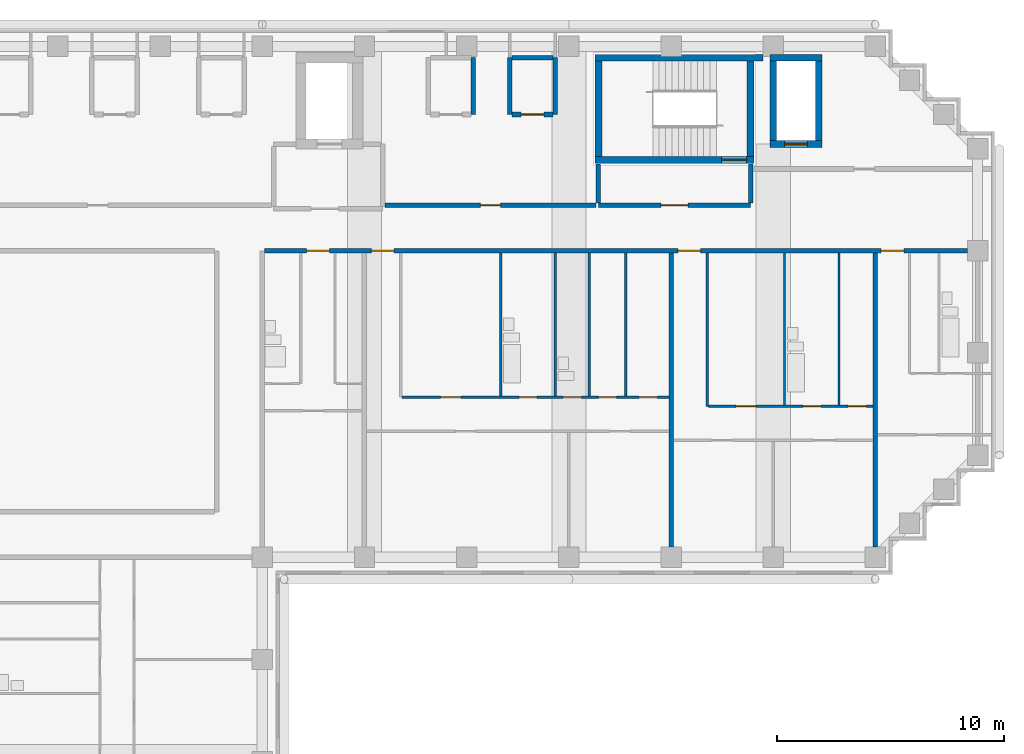
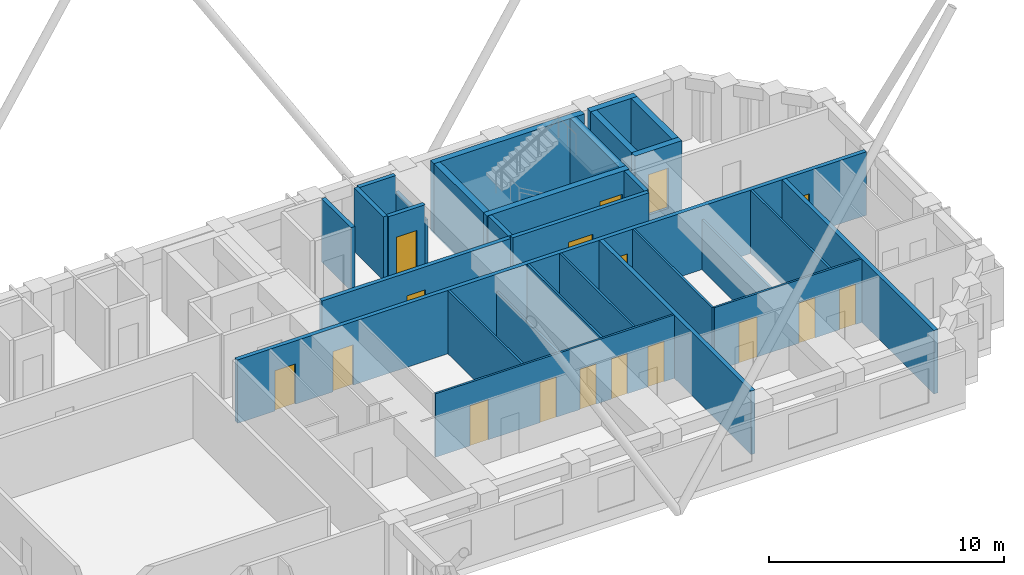
# One storey, part 6 of 9: 29 walls, 17 doors, 17 openings.
"""IFC4 building model written with IfcOpenShell, lengths in metres."""

from ifc_helpers import new_model, si_unit, direction, frame, frame_2d, origin, place, context, subcontext, project, spatial, rectangle, extrude, material, layer, layer_set, type_object, element, fill, save


model = new_model("IFC4")

# Units and contexts
model_context = context("Model", 3, precision=1e-05, world=origin(), true_north=direction((0.0, 1.0)))
body_context = subcontext(model_context, "Body", "Model", "MODEL_VIEW")
ifc_project = project(units=[si_unit("LENGTHUNIT", "METRE"), si_unit("AREAUNIT", "SQUARE_METRE"), si_unit("VOLUMEUNIT", "CUBIC_METRE"), si_unit("PLANEANGLEUNIT", "RADIAN"), si_unit("MASSUNIT", "GRAM", prefix="KILO")], contexts=[model_context])

# Site, building, storey
site_placement = place(None, origin())
site = spatial("IfcSite", under=ifc_project, at=site_placement, CompositionType="ELEMENT")
building_placement = place(site_placement, origin())
building = spatial("IfcBuilding", under=site, at=building_placement, Name="Firuza Court", CompositionType="ELEMENT")
storey_placement = place(building_placement, frame((0.0, 0.0, 211.39990234375)))
storey = spatial("IfcBuildingStorey", under=building, at=storey_placement, Name="L54", CompositionType="ELEMENT", Elevation=211.39990234375)

# Walls
ifc_material_1 = material(Name="Moisture-resistant gypsum board partition")
ifc_layer_1 = layer(ifc_material_1, 0.10009765625)
ifc_layer_set_1 = layer_set([ifc_layer_1], Name="Moisture-resistant gypsum board partition")
wall_type_1 = type_object("IfcWallType", Name="Bathroom partition 100", PredefinedType="PLUMBINGWALL", material=ifc_layer_set_1)
wall_1_placement = place(storey_placement, frame((45.5, 42.699951171875, 0.0), z_axis=(0.0, 0.0, 1.0), x_axis=(0.0, 1.0, 0.0)))
element("IfcWall", 1, at=wall_1_placement, inside=storey, type_object=wall_type_1, Name="Bathroom partition 100 L54", PredefinedType="PLUMBINGWALL", context=body_context, shape_type="SweptSolid", body=[
    extrude(rectangle(XDim=6.699951171875, YDim=0.10009765625, at=frame_2d((3.35009765625, 0.0))), origin(), (0.0, 0.0, 1.0), 2.60009765625),
])
wall_2_placement = place(storey_placement, frame((47.89990234375, 42.699951171875, 0.0), z_axis=(0.0, 0.0, 1.0), x_axis=(0.0, 1.0, 0.0)))
element("IfcWall", 2, at=wall_2_placement, inside=storey, type_object=wall_type_1, Name="Bathroom partition 100 L54", PredefinedType="PLUMBINGWALL", context=body_context, shape_type="SweptSolid", body=[
    extrude(rectangle(XDim=6.699951171875, YDim=0.10009765625, at=frame_2d((3.35009765625, 0.0))), origin(), (0.0, 0.0, 1.0), 3.300048828125),
])
wall_3_placement = place(storey_placement, frame((33.0, 43.10009765625, 0.0), z_axis=(0.0, 0.0, 1.0), x_axis=(0.0, 1.0, 0.0)))
element("IfcWall", 3, at=wall_3_placement, inside=storey, type_object=wall_type_1, Name="Bathroom partition 100 L54", PredefinedType="PLUMBINGWALL", context=body_context, shape_type="SweptSolid", body=[
    extrude(rectangle(XDim=6.2998046875, YDim=0.10009765625, at=frame_2d((3.14990234375, 0.0))), origin(), (0.0, 0.0, 1.0), 3.300048828125),
])
wall_4_placement = place(storey_placement, frame((35.39990234375, 43.10009765625, 0.0), z_axis=(0.0, 0.0, 1.0), x_axis=(0.0, 1.0, 0.0)))
element("IfcWall", 4, at=wall_4_placement, inside=storey, type_object=wall_type_1, Name="Bathroom partition 100 L54", PredefinedType="PLUMBINGWALL", context=body_context, shape_type="SweptSolid", body=[
    extrude(rectangle(XDim=6.2998046875, YDim=0.10009765625, at=frame_2d((3.14990234375, 0.0))), origin(), (0.0, 0.0, 1.0), 2.400146484375),
])
wall_5_placement = place(storey_placement, frame((36.89990234375, 43.10009765625, 0.0), z_axis=(0.0, 0.0, 1.0), x_axis=(0.0, 1.0, 0.0)))
element("IfcWall", 5, at=wall_5_placement, inside=storey, type_object=wall_type_1, Name="Bathroom partition 100 L54", PredefinedType="PLUMBINGWALL", context=body_context, shape_type="SweptSolid", body=[
    extrude(rectangle(XDim=6.2998046875, YDim=0.10009765625, at=frame_2d((3.14990234375, 0.0))), origin(), (0.0, 0.0, 1.0), 3.300048828125),
])

# Wall, opening, door
ifc_material_2 = material(Name="Concrete C50/60", Category="concrete")
ifc_layer_2 = layer(ifc_material_2, 0.300048828125)
ifc_layer_set_2 = layer_set([ifc_layer_2], Name="Concrete C50/60")
wall_type_2 = type_object("IfcWallType", Name="Core wall 300 C50/60", PredefinedType="SHEAR", material=ifc_layer_set_2)
wall_6_placement = place(storey_placement, frame((37.14990234375, 53.5, -0.349853515625), z_axis=(0.0, 0.0, 1.0), x_axis=(1.0, 0.0, 0.0)))
wall_6 = element("IfcWall", 6, at=wall_6_placement, inside=storey, type_object=wall_type_2, Name="Core wall stair L54", PredefinedType="SHEAR", context=body_context, shape_type="SweptSolid", body=[
    extrude(rectangle(XDim=7.0, YDim=0.300048828125, at=frame_2d((3.5, 0.0))), origin(), (0.0, 0.0, 1.0), 3.64990234375),
])
opening_1_placement = place(wall_6_placement, frame((5.580078125, 0.0, 0.35009765625)))
opening_1 = element("IfcOpeningElement", 7, at=opening_1_placement, cuts=wall_6, Name="Opening D54009", PredefinedType="OPENING", context=body_context, shape_type="SweptSolid", body=[
    extrude(rectangle(XDim=1.10009765625, YDim=2.10009765625, at=frame_2d((0.550048828125, 1.050048828125))), frame((0.0, 0.162109375, 0.0), z_axis=(0.0, -1.0, 0.0), x_axis=(1.0, 0.0, 0.0)), (0.0, 0.0, 1.0), 0.323974609375),
])
ifc_material_3 = material(Name="Timber door leaf in hardwood frame", Category="wood")
door_type_1 = type_object("IfcDoorType", Name="Stair door 1100", OperationType="SINGLE_SWING_LEFT", PredefinedType="DOOR", material=ifc_material_3)
door_1_placement = place(opening_1_placement, origin())
door_1 = element("IfcDoor", 8, at=door_1_placement, inside=storey, type_object=door_type_1, Name="Stair door S1", OperationType="SINGLE_SWING_RIGHT", OverallHeight=2.10009765625, OverallWidth=1.10009765625, PredefinedType="DOOR", context=body_context, shape_type="SweptSolid", body=[
    extrude(rectangle(XDim=1.10009765625, YDim=2.10009765625, at=frame_2d((0.550048828125, 1.050048828125))), frame((0.0, 0.02490234375, 0.0), z_axis=(0.0, -1.0, 0.0), x_axis=(1.0, 0.0, 0.0)), (0.0, 0.0, 1.0), 0.050048828125),
])
fill(opening_1, door_1)

# Walls
wall_7_placement = place(storey_placement, frame((37.14990234375, 58.0, -0.349853515625), z_axis=(0.0, 0.0, 1.0), x_axis=(1.0, 0.0, 0.0)))
element("IfcWall", 9, at=wall_7_placement, inside=storey, type_object=wall_type_2, Name="Core wall stair L54", PredefinedType="SHEAR", context=body_context, shape_type="SweptSolid", body=[
    extrude(rectangle(XDim=7.400146484375, YDim=0.300048828125, at=frame_2d((3.7001953125, 0.0))), origin(), (0.0, 0.0, 1.0), 3.64990234375),
])
for number, where, z_axis, x_axis, name in (
    (10, (37.300048828125, 53.64990234375, -0.349853515625), (0.0, 0.0, 1.0), (0.0, 1.0, 0.0), "Core wall stair L54"),
    (11, (44.0, 53.64990234375, -0.349853515625), (0.0, 0.0, 1.0), (0.0, 1.0, 0.0), "Core wall stair L54"),
):
    element("IfcWall", number, at=place(storey_placement, frame(where, z_axis=z_axis, x_axis=x_axis)), inside=storey, type_object=wall_type_2, Name=name, PredefinedType="SHEAR", context=body_context, shape_type="SweptSolid", body=[
        extrude(rectangle(XDim=4.2001953125, YDim=0.300048828125, at=frame_2d((2.10009765625, 0.0))), origin(), (0.0, 0.0, 1.0), 3.64990234375),
    ])

# Wall, opening, door
wall_8_placement = place(storey_placement, frame((44.85009765625, 54.199951171875, -0.349853515625), z_axis=(0.0, 0.0, 1.0), x_axis=(1.0, 0.0, 0.0)))
wall_8 = element("IfcWall", 12, at=wall_8_placement, inside=storey, type_object=wall_type_2, Name="Core wall riser L54", PredefinedType="SHEAR", context=body_context, shape_type="SweptSolid", body=[
    extrude(rectangle(XDim=2.2998046875, YDim=0.300048828125, at=frame_2d((1.14990234375, 0.0))), origin(), (0.0, 0.0, 1.0), 3.64990234375),
])
opening_2_placement = place(wall_8_placement, frame((0.64990234375, 0.0, 0.35009765625)))
opening_2 = element("IfcOpeningElement", 13, at=opening_2_placement, cuts=wall_8, Name="Opening D54008", PredefinedType="OPENING", context=body_context, shape_type="SweptSolid", body=[
    extrude(rectangle(XDim=1.0, YDim=2.10009765625, at=frame_2d((0.5, 1.050048828125))), frame((0.0, 0.162109375, 0.0), z_axis=(0.0, -1.0, 0.0), x_axis=(1.0, 0.0, 0.0)), (0.0, 0.0, 1.0), 0.323974609375),
])
ifc_material_4 = material(Name="Timber door leaf in hardwood frame", Category="wood")
door_type_2 = type_object("IfcDoorType", Name="Riser door 1000", OperationType="SINGLE_SWING_LEFT", PredefinedType="DOOR", material=ifc_material_4)
door_2_placement = place(opening_2_placement, origin())
door_2 = element("IfcDoor", 14, at=door_2_placement, inside=storey, type_object=door_type_2, Name="Riser door R3", OperationType="SINGLE_SWING_LEFT", OverallHeight=2.10009765625, OverallWidth=1.0, PredefinedType="DOOR", context=body_context, shape_type="SweptSolid", body=[
    extrude(rectangle(XDim=1.0, YDim=2.10009765625, at=frame_2d((0.5, 1.050048828125))), frame((0.0, 0.02490234375, 0.0), z_axis=(0.0, -1.0, 0.0), x_axis=(1.0, 0.0, 0.0)), (0.0, 0.0, 1.0), 0.050048828125),
])
fill(opening_2, door_2)

# Walls
wall_9_placement = place(storey_placement, frame((44.85009765625, 58.0, -0.349853515625), z_axis=(0.0, 0.0, 1.0), x_axis=(1.0, 0.0, 0.0)))
element("IfcWall", 15, at=wall_9_placement, inside=storey, type_object=wall_type_2, Name="Core wall riser L54", PredefinedType="SHEAR", context=body_context, shape_type="SweptSolid", body=[
    extrude(rectangle(XDim=2.2998046875, YDim=0.300048828125, at=frame_2d((1.14990234375, 0.0))), origin(), (0.0, 0.0, 1.0), 3.64990234375),
])
for number, where, z_axis, x_axis, name in (
    (16, (45.0, 54.35009765625, -0.349853515625), (0.0, 0.0, 1.0), (0.0, 1.0, 0.0), "Core wall riser L54"),
    (17, (47.0, 54.35009765625, -0.349853515625), (0.0, 0.0, 1.0), (0.0, 1.0, 0.0), "Core wall riser L54"),
):
    element("IfcWall", number, at=place(storey_placement, frame(where, z_axis=z_axis, x_axis=x_axis)), inside=storey, type_object=wall_type_2, Name=name, PredefinedType="SHEAR", context=body_context, shape_type="SweptSolid", body=[
        extrude(rectangle(XDim=3.5, YDim=0.300048828125, at=frame_2d((1.75, 0.0))), origin(), (0.0, 0.0, 1.0), 3.64990234375),
    ])

# Wall, openings, doors
ifc_material_5 = material(Name="Blockwork, plastered both sides", Category="masonry")
ifc_layer_3 = layer(ifc_material_5, 0.199951171875)
ifc_layer_set_3 = layer_set([ifc_layer_3], Name="Blockwork, plastered both sides")
wall_type_3 = type_object("IfcWallType", Name="Corridor wall 200", PredefinedType="PARTITIONING", material=ifc_layer_set_3)
wall_10_placement = place(storey_placement, frame((22.60009765625, 49.5, 0.0), z_axis=(0.0, 0.0, 1.0), x_axis=(1.0, 0.0, 0.0)))
wall_10 = element("IfcWall", 18, at=wall_10_placement, inside=storey, type_object=wall_type_3, Name="Corridor wall 200 L54", PredefinedType="PARTITIONING", context=body_context, shape_type="SweptSolid", body=[
    extrude(rectangle(XDim=30.949951171875, YDim=0.199951171875, at=frame_2d((15.47509765625, 0.0))), origin(), (0.0, 0.0, 1.0), 3.300048828125),
])
opening_3_placement = place(wall_10_placement, frame((1.85009765625, 0.0, 0.0)))
opening_3 = element("IfcOpeningElement", 19, at=opening_3_placement, cuts=wall_10, Name="Opening D54045", PredefinedType="OPENING", context=body_context, shape_type="SweptSolid", body=[
    extrude(rectangle(XDim=1.0, YDim=2.10009765625, at=frame_2d((0.5, 1.050048828125))), frame((0.0, 0.11181640625, 0.0), z_axis=(0.0, -1.0, 0.0), x_axis=(1.0, 0.0, 0.0)), (0.0, 0.0, 1.0), 0.223876953125),
])
opening_4_placement = place(wall_10_placement, frame((4.699951171875, 0.0, 0.0)))
opening_4 = element("IfcOpeningElement", 20, at=opening_4_placement, cuts=wall_10, Name="Opening D54046", PredefinedType="OPENING", context=body_context, shape_type="SweptSolid", body=[
    extrude(rectangle(XDim=1.0, YDim=2.10009765625, at=frame_2d((0.5, 1.050048828125))), frame((0.0, 0.11181640625, 0.0), z_axis=(0.0, -1.0, 0.0), x_axis=(1.0, 0.0, 0.0)), (0.0, 0.0, 1.0), 0.223876953125),
])
opening_5_placement = place(wall_10_placement, frame((18.199951171875, 0.0, 0.0)))
opening_5 = element("IfcOpeningElement", 21, at=opening_5_placement, cuts=wall_10, Name="Opening D54047", PredefinedType="OPENING", context=body_context, shape_type="SweptSolid", body=[
    extrude(rectangle(XDim=1.0, YDim=2.10009765625, at=frame_2d((0.5, 1.050048828125))), frame((0.0, 0.11181640625, 0.0), z_axis=(0.0, -1.0, 0.0), x_axis=(1.0, 0.0, 0.0)), (0.0, 0.0, 1.0), 0.223876953125),
])
opening_6_placement = place(wall_10_placement, frame((27.14990234375, 0.0, 0.0)))
opening_6 = element("IfcOpeningElement", 22, at=opening_6_placement, cuts=wall_10, Name="Opening D54048", PredefinedType="OPENING", context=body_context, shape_type="SweptSolid", body=[
    extrude(rectangle(XDim=1.0, YDim=2.10009765625, at=frame_2d((0.5, 1.050048828125))), frame((0.0, 0.11181640625, 0.0), z_axis=(0.0, -1.0, 0.0), x_axis=(1.0, 0.0, 0.0)), (0.0, 0.0, 1.0), 0.223876953125),
])
ifc_material_6 = material(Name="Timber door leaf in hardwood frame", Category="wood")
door_type_3 = type_object("IfcDoorType", Name="Flat entrance door 1000", OperationType="SINGLE_SWING_LEFT", PredefinedType="DOOR", material=ifc_material_6)
door_3_placement = place(opening_3_placement, origin())
door_3 = element("IfcDoor", 23, at=door_3_placement, inside=storey, type_object=door_type_3, Name="Flat entrance door", OperationType="SINGLE_SWING_LEFT", OverallHeight=2.10009765625, OverallWidth=1.0, PredefinedType="DOOR", context=body_context, shape_type="SweptSolid", body=[
    extrude(rectangle(XDim=1.0, YDim=2.10009765625, at=frame_2d((0.5, 1.050048828125))), frame((0.0, 0.02490234375, 0.0), z_axis=(0.0, -1.0, 0.0), x_axis=(1.0, 0.0, 0.0)), (0.0, 0.0, 1.0), 0.050048828125),
])
fill(opening_3, door_3)
door_4_placement = place(opening_4_placement, origin())
door_4 = element("IfcDoor", 24, at=door_4_placement, inside=storey, type_object=door_type_3, Name="Flat entrance door", OperationType="SINGLE_SWING_LEFT", OverallHeight=2.10009765625, OverallWidth=1.0, PredefinedType="DOOR", context=body_context, shape_type="SweptSolid", body=[
    extrude(rectangle(XDim=1.0, YDim=2.10009765625, at=frame_2d((0.5, 1.050048828125))), frame((0.0, 0.02490234375, 0.0), z_axis=(0.0, -1.0, 0.0), x_axis=(1.0, 0.0, 0.0)), (0.0, 0.0, 1.0), 0.050048828125),
])
fill(opening_4, door_4)
door_5_placement = place(opening_5_placement, origin())
door_5 = element("IfcDoor", 25, at=door_5_placement, inside=storey, type_object=door_type_3, Name="Flat entrance door", OperationType="SINGLE_SWING_LEFT", OverallHeight=2.10009765625, OverallWidth=1.0, PredefinedType="DOOR", context=body_context, shape_type="SweptSolid", body=[
    extrude(rectangle(XDim=1.0, YDim=2.10009765625, at=frame_2d((0.5, 1.050048828125))), frame((0.0, 0.02490234375, 0.0), z_axis=(0.0, -1.0, 0.0), x_axis=(1.0, 0.0, 0.0)), (0.0, 0.0, 1.0), 0.050048828125),
])
fill(opening_5, door_5)
door_6_placement = place(opening_6_placement, origin())
door_6 = element("IfcDoor", 26, at=door_6_placement, inside=storey, type_object=door_type_3, Name="Flat entrance door", OperationType="SINGLE_SWING_RIGHT", OverallHeight=2.10009765625, OverallWidth=1.0, PredefinedType="DOOR", context=body_context, shape_type="SweptSolid", body=[
    extrude(rectangle(XDim=1.0, YDim=2.10009765625, at=frame_2d((0.5, 1.050048828125))), frame((0.0, 0.02490234375, 0.0), z_axis=(0.0, -1.0, 0.0), x_axis=(1.0, 0.0, 0.0)), (0.0, 0.0, 1.0), 0.050048828125),
])
fill(opening_6, door_6)

# Wall, opening, door
wall_11_placement = place(storey_placement, frame((27.89990234375, 51.5, 0.0), z_axis=(0.0, 0.0, 1.0), x_axis=(1.0, 0.0, 0.0)))
wall_11 = element("IfcWall", 27, at=wall_11_placement, inside=storey, type_object=wall_type_3, Name="Corridor wall 200 L54", PredefinedType="PARTITIONING", context=body_context, shape_type="SweptSolid", body=[
    extrude(rectangle(XDim=9.300048828125, YDim=0.199951171875, at=frame_2d((4.64990234375, 0.0))), origin(), (0.0, 0.0, 1.0), 3.300048828125),
])
opening_7_placement = place(wall_11_placement, frame((4.199951171875, 0.0, 0.0)))
opening_7 = element("IfcOpeningElement", 28, at=opening_7_placement, cuts=wall_11, Name="Opening D54050", PredefinedType="OPENING", context=body_context, shape_type="SweptSolid", body=[
    extrude(rectangle(XDim=0.89990234375, YDim=2.10009765625, at=frame_2d((0.449951171875, 1.050048828125))), frame((0.0, 0.11181640625, 0.0), z_axis=(0.0, -1.0, 0.0), x_axis=(1.0, 0.0, 0.0)), (0.0, 0.0, 1.0), 0.223876953125),
])
ifc_material_7 = material(Name="Timber door leaf in hardwood frame", Category="wood")
door_type_4 = type_object("IfcDoorType", Name="Room door 900 EI 30", OperationType="SINGLE_SWING_LEFT", PredefinedType="DOOR", material=ifc_material_7)
door_7_placement = place(opening_7_placement, origin())
door_7 = element("IfcDoor", 29, at=door_7_placement, inside=storey, type_object=door_type_4, Name="Meeting room door", OperationType="SINGLE_SWING_LEFT", OverallHeight=2.10009765625, OverallWidth=0.89990234375, PredefinedType="DOOR", context=body_context, shape_type="SweptSolid", body=[
    extrude(rectangle(XDim=0.89990234375, YDim=2.10009765625, at=frame_2d((0.449951171875, 1.050048828125))), frame((0.0, 0.02490234375, 0.0), z_axis=(0.0, -1.0, 0.0), x_axis=(1.0, 0.0, 0.0)), (0.0, 0.0, 1.0), 0.050048828125),
])
fill(opening_7, door_7)

# Wall
ifc_material_8 = material(Name="Timber stud partition, plasterboard both sides", Category="wood")
ifc_layer_4 = layer(ifc_material_8, 0.10009765625)
ifc_layer_set_4 = layer_set([ifc_layer_4], Name="Timber stud partition, plasterboard both sides")
wall_type_4 = type_object("IfcWallType", Name="Partition wall 100", PredefinedType="PARTITIONING", material=ifc_layer_set_4)
wall_12_placement = place(storey_placement, frame((42.10009765625, 42.64990234375, 0.0), z_axis=(0.0, 0.0, 1.0), x_axis=(0.0, 1.0, 0.0)))
element("IfcWall", 30, at=wall_12_placement, inside=storey, type_object=wall_type_4, Name="Partition wall 100 L54", PredefinedType="PARTITIONING", context=body_context, shape_type="SweptSolid", body=[
    extrude(rectangle(XDim=6.75, YDim=0.10009765625, at=frame_2d((3.375, 0.0))), origin(), (0.0, 0.0, 1.0), 3.300048828125),
])

# Wall, openings, doors
wall_13_placement = place(storey_placement, frame((42.14990234375, 42.64990234375, 0.0), z_axis=(0.0, 0.0, 1.0), x_axis=(1.0, 0.0, 0.0)))
wall_13 = element("IfcWall", 31, at=wall_13_placement, inside=storey, type_object=wall_type_4, Name="Partition wall 100 L54", PredefinedType="PARTITIONING", context=body_context, shape_type="SweptSolid", body=[
    extrude(rectangle(XDim=7.25, YDim=0.10009765625, at=frame_2d((3.625, 0.0))), origin(), (0.0, 0.0, 1.0), 3.300048828125),
])
opening_8_placement = place(wall_13_placement, frame((4.14990234375, 0.0, 0.0)))
opening_8 = element("IfcOpeningElement", 32, at=opening_8_placement, cuts=wall_13, Name="Opening D54033", PredefinedType="OPENING", context=body_context, shape_type="SweptSolid", body=[
    extrude(rectangle(XDim=0.800048828125, YDim=2.10009765625, at=frame_2d((0.39990234375, 1.050048828125))), frame((0.0, 0.06201171875, 0.0), z_axis=(0.0, -1.0, 0.0), x_axis=(1.0, 0.0, 0.0)), (0.0, 0.0, 1.0), 0.1240234375),
])
opening_9_placement = place(wall_13_placement, frame((1.199951171875, 0.0, 0.0)))
opening_9 = element("IfcOpeningElement", 33, at=opening_9_placement, cuts=wall_13, Name="Opening D54034", PredefinedType="OPENING", context=body_context, shape_type="SweptSolid", body=[
    extrude(rectangle(XDim=0.89990234375, YDim=2.10009765625, at=frame_2d((0.449951171875, 1.050048828125))), frame((0.0, 0.06201171875, 0.0), z_axis=(0.0, -1.0, 0.0), x_axis=(1.0, 0.0, 0.0)), (0.0, 0.0, 1.0), 0.1240234375),
])
opening_10_placement = place(wall_13_placement, frame((6.14990234375, 0.0, 0.0)))
opening_10 = element("IfcOpeningElement", 34, at=opening_10_placement, cuts=wall_13, Name="Opening D54035", PredefinedType="OPENING", context=body_context, shape_type="SweptSolid", body=[
    extrude(rectangle(XDim=0.800048828125, YDim=2.10009765625, at=frame_2d((0.39990234375, 1.050048828125))), frame((0.0, 0.06201171875, 0.0), z_axis=(0.0, -1.0, 0.0), x_axis=(1.0, 0.0, 0.0)), (0.0, 0.0, 1.0), 0.1240234375),
])
ifc_material_9 = material(Name="Timber door leaf in hardwood frame", Category="wood")
door_type_5 = type_object("IfcDoorType", Name="Bathroom door 800", OperationType="SINGLE_SWING_LEFT", PredefinedType="DOOR", material=ifc_material_9)
door_8_placement = place(opening_8_placement, origin())
door_8 = element("IfcDoor", 35, at=door_8_placement, inside=storey, type_object=door_type_5, Name="Bathroom door", OperationType="SINGLE_SWING_LEFT", OverallHeight=2.10009765625, OverallWidth=0.800048828125, PredefinedType="DOOR", context=body_context, shape_type="SweptSolid", body=[
    extrude(rectangle(XDim=0.800048828125, YDim=2.10009765625, at=frame_2d((0.39990234375, 1.050048828125))), frame((0.0, 0.02490234375, 0.0), z_axis=(0.0, -1.0, 0.0), x_axis=(1.0, 0.0, 0.0)), (0.0, 0.0, 1.0), 0.050048828125),
])
fill(opening_8, door_8)
ifc_material_10 = material(Name="Timber door leaf in hardwood frame", Category="wood")
door_type_6 = type_object("IfcDoorType", Name="Room door 800", OperationType="SINGLE_SWING_LEFT", PredefinedType="DOOR", material=ifc_material_10)
door_9_placement = place(opening_10_placement, origin())
door_9 = element("IfcDoor", 36, at=door_9_placement, inside=storey, type_object=door_type_6, Name="Store door", OperationType="SINGLE_SWING_LEFT", OverallHeight=2.10009765625, OverallWidth=0.800048828125, PredefinedType="DOOR", context=body_context, shape_type="SweptSolid", body=[
    extrude(rectangle(XDim=0.800048828125, YDim=2.10009765625, at=frame_2d((0.39990234375, 1.050048828125))), frame((0.0, 0.02490234375, 0.0), z_axis=(0.0, -1.0, 0.0), x_axis=(1.0, 0.0, 0.0)), (0.0, 0.0, 1.0), 0.050048828125),
])
fill(opening_10, door_9)
ifc_material_11 = material(Name="Timber door leaf in hardwood frame", Category="wood")
door_type_7 = type_object("IfcDoorType", Name="Room door 900", OperationType="SINGLE_SWING_LEFT", PredefinedType="DOOR", material=ifc_material_11)
door_10_placement = place(opening_9_placement, origin())
door_10 = element("IfcDoor", 37, at=door_10_placement, inside=storey, type_object=door_type_7, Name="Kitchen door", OperationType="SINGLE_SWING_LEFT", OverallHeight=2.10009765625, OverallWidth=0.89990234375, PredefinedType="DOOR", context=body_context, shape_type="SweptSolid", body=[
    extrude(rectangle(XDim=0.89990234375, YDim=2.10009765625, at=frame_2d((0.449951171875, 1.050048828125))), frame((0.0, 0.02490234375, 0.0), z_axis=(0.0, -1.0, 0.0), x_axis=(1.0, 0.0, 0.0)), (0.0, 0.0, 1.0), 0.050048828125),
])
fill(opening_9, door_10)

wall_14_placement = place(storey_placement, frame((28.64990234375, 43.050048828125, 0.0), z_axis=(0.0, 0.0, 1.0), x_axis=(1.0, 0.0, 0.0)))
wall_14 = element("IfcWall", 38, at=wall_14_placement, inside=storey, type_object=wall_type_4, Name="Partition wall 100 L54", PredefinedType="PARTITIONING", context=body_context, shape_type="SweptSolid", body=[
    extrude(rectangle(XDim=11.75, YDim=0.10009765625, at=frame_2d((5.875, 0.0))), origin(), (0.0, 0.0, 1.0), 3.300048828125),
])
opening_11_placement = place(wall_14_placement, frame((5.14990234375, 0.0, 0.0)))
opening_11 = element("IfcOpeningElement", 39, at=opening_11_placement, cuts=wall_14, Name="Opening D54036", PredefinedType="OPENING", context=body_context, shape_type="SweptSolid", body=[
    extrude(rectangle(XDim=0.800048828125, YDim=2.10009765625, at=frame_2d((0.39990234375, 1.050048828125))), frame((0.0, 0.06201171875, 0.0), z_axis=(0.0, -1.0, 0.0), x_axis=(1.0, 0.0, 0.0)), (0.0, 0.0, 1.0), 0.1240234375),
])
opening_12_placement = place(wall_14_placement, frame((1.699951171875, 0.0, 0.0)))
opening_12 = element("IfcOpeningElement", 40, at=opening_12_placement, cuts=wall_14, Name="Opening D54037", PredefinedType="OPENING", context=body_context, shape_type="SweptSolid", body=[
    extrude(rectangle(XDim=0.89990234375, YDim=2.10009765625, at=frame_2d((0.449951171875, 1.050048828125))), frame((0.0, 0.06201171875, 0.0), z_axis=(0.0, -1.0, 0.0), x_axis=(1.0, 0.0, 0.0)), (0.0, 0.0, 1.0), 0.1240234375),
])
opening_13_placement = place(wall_14_placement, frame((8.64990234375, 0.0, 0.0)))
opening_13 = element("IfcOpeningElement", 41, at=opening_13_placement, cuts=wall_14, Name="Opening D54038", PredefinedType="OPENING", context=body_context, shape_type="SweptSolid", body=[
    extrude(rectangle(XDim=0.800048828125, YDim=2.10009765625, at=frame_2d((0.39990234375, 1.050048828125))), frame((0.0, 0.06201171875, 0.0), z_axis=(0.0, -1.0, 0.0), x_axis=(1.0, 0.0, 0.0)), (0.0, 0.0, 1.0), 0.1240234375),
])
opening_14_placement = place(wall_14_placement, frame((10.449951171875, 0.0, 0.0)))
opening_14 = element("IfcOpeningElement", 42, at=opening_14_placement, cuts=wall_14, Name="Opening D54039", PredefinedType="OPENING", context=body_context, shape_type="SweptSolid", body=[
    extrude(rectangle(XDim=0.800048828125, YDim=2.10009765625, at=frame_2d((0.39990234375, 1.050048828125))), frame((0.0, 0.06201171875, 0.0), z_axis=(0.0, -1.0, 0.0), x_axis=(1.0, 0.0, 0.0)), (0.0, 0.0, 1.0), 0.1240234375),
])
opening_15_placement = place(wall_14_placement, frame((7.10009765625, 0.0, 0.0)))
opening_15 = element("IfcOpeningElement", 43, at=opening_15_placement, cuts=wall_14, Name="Opening D54040", PredefinedType="OPENING", context=body_context, shape_type="SweptSolid", body=[
    extrude(rectangle(XDim=0.800048828125, YDim=2.10009765625, at=frame_2d((0.39990234375, 1.050048828125))), frame((0.0, 0.06201171875, 0.0), z_axis=(0.0, -1.0, 0.0), x_axis=(1.0, 0.0, 0.0)), (0.0, 0.0, 1.0), 0.1240234375),
])
door_11_placement = place(opening_11_placement, origin())
door_11 = element("IfcDoor", 44, at=door_11_placement, inside=storey, type_object=door_type_5, Name="Bathroom door", OperationType="SINGLE_SWING_LEFT", OverallHeight=2.10009765625, OverallWidth=0.800048828125, PredefinedType="DOOR", context=body_context, shape_type="SweptSolid", body=[
    extrude(rectangle(XDim=0.800048828125, YDim=2.10009765625, at=frame_2d((0.39990234375, 1.050048828125))), frame((0.0, 0.02490234375, 0.0), z_axis=(0.0, -1.0, 0.0), x_axis=(1.0, 0.0, 0.0)), (0.0, 0.0, 1.0), 0.050048828125),
])
fill(opening_11, door_11)
door_12_placement = place(opening_15_placement, origin())
door_12 = element("IfcDoor", 45, at=door_12_placement, inside=storey, type_object=door_type_5, Name="Powder room door", OperationType="SINGLE_SWING_LEFT", OverallHeight=2.10009765625, OverallWidth=0.800048828125, PredefinedType="DOOR", context=body_context, shape_type="SweptSolid", body=[
    extrude(rectangle(XDim=0.800048828125, YDim=2.10009765625, at=frame_2d((0.39990234375, 1.050048828125))), frame((0.0, 0.02490234375, 0.0), z_axis=(0.0, -1.0, 0.0), x_axis=(1.0, 0.0, 0.0)), (0.0, 0.0, 1.0), 0.050048828125),
])
fill(opening_15, door_12)
door_13_placement = place(opening_13_placement, origin())
door_13 = element("IfcDoor", 46, at=door_13_placement, inside=storey, type_object=door_type_6, Name="Store door", OperationType="SINGLE_SWING_LEFT", OverallHeight=2.10009765625, OverallWidth=0.800048828125, PredefinedType="DOOR", context=body_context, shape_type="SweptSolid", body=[
    extrude(rectangle(XDim=0.800048828125, YDim=2.10009765625, at=frame_2d((0.39990234375, 1.050048828125))), frame((0.0, 0.02490234375, 0.0), z_axis=(0.0, -1.0, 0.0), x_axis=(1.0, 0.0, 0.0)), (0.0, 0.0, 1.0), 0.050048828125),
])
fill(opening_13, door_13)
door_14_placement = place(opening_14_placement, origin())
door_14 = element("IfcDoor", 47, at=door_14_placement, inside=storey, type_object=door_type_6, Name="Utility room door", OperationType="SINGLE_SWING_LEFT", OverallHeight=2.10009765625, OverallWidth=0.800048828125, PredefinedType="DOOR", context=body_context, shape_type="SweptSolid", body=[
    extrude(rectangle(XDim=0.800048828125, YDim=2.10009765625, at=frame_2d((0.39990234375, 1.050048828125))), frame((0.0, 0.02490234375, 0.0), z_axis=(0.0, -1.0, 0.0), x_axis=(1.0, 0.0, 0.0)), (0.0, 0.0, 1.0), 0.050048828125),
])
fill(opening_14, door_14)
door_15_placement = place(opening_12_placement, origin())
door_15 = element("IfcDoor", 48, at=door_15_placement, inside=storey, type_object=door_type_7, Name="Kitchen door", OperationType="SINGLE_SWING_LEFT", OverallHeight=2.10009765625, OverallWidth=0.89990234375, PredefinedType="DOOR", context=body_context, shape_type="SweptSolid", body=[
    extrude(rectangle(XDim=0.89990234375, YDim=2.10009765625, at=frame_2d((0.449951171875, 1.050048828125))), frame((0.0, 0.02490234375, 0.0), z_axis=(0.0, -1.0, 0.0), x_axis=(1.0, 0.0, 0.0)), (0.0, 0.0, 1.0), 0.050048828125),
])
fill(opening_12, door_15)

# Walls
wall_15_placement = place(storey_placement, frame((38.5, 43.10009765625, 0.0), z_axis=(0.0, 0.0, 1.0), x_axis=(0.0, 1.0, 0.0)))
element("IfcWall", 49, at=wall_15_placement, inside=storey, type_object=wall_type_4, Name="Partition wall 100 L54", PredefinedType="PARTITIONING", context=body_context, shape_type="SweptSolid", body=[
    extrude(rectangle(XDim=6.2998046875, YDim=0.10009765625, at=frame_2d((3.14990234375, 0.0))), origin(), (0.0, 0.0, 1.0), 3.300048828125),
])
ifc_layer_5 = layer(ifc_material_5, 0.199951171875)
ifc_layer_set_5 = layer_set([ifc_layer_5], Name="Blockwork, plastered both sides")
wall_type_5 = type_object("IfcWallType", Name="Party wall 200", PredefinedType="PARTITIONING", material=ifc_layer_set_5)
for number, where, z_axis, x_axis, name in (
    (50, (40.5, 36.449951171875, 0.0), (0.0, 0.0, 1.0), (0.0, 1.0, 0.0), "Party wall 200 L54"),
    (51, (49.5, 36.449951171875, 0.0), (0.0, 0.0, 1.0), (0.0, 1.0, 0.0), "Party wall 200 L54"),
):
    element("IfcWall", number, at=place(storey_placement, frame(where, z_axis=z_axis, x_axis=x_axis)), inside=storey, type_object=wall_type_5, Name=name, PredefinedType="PARTITIONING", context=body_context, shape_type="SweptSolid", body=[
        extrude(rectangle(XDim=12.949951171875, YDim=0.199951171875, at=frame_2d((6.47509765625, 0.0))), origin(), (0.0, 0.0, 1.0), 3.300048828125),
    ])
ifc_material_12 = material(Name="Blockwork, fire-rated", Category="masonry")
ifc_layer_6 = layer(ifc_material_12, 0.199951171875)
ifc_layer_set_6 = layer_set([ifc_layer_6], Name="Blockwork, fire-rated")
wall_type_6 = type_object("IfcWallType", Name="Plant room wall 200", PredefinedType="PARTITIONING", material=ifc_layer_set_6)
for number, where, z_axis, x_axis, name in (
    (52, (31.800048828125, 55.5, 0.0), (0.0, 0.0, 1.0), (0.0, 1.0, 0.0), "Plant room wall 200 L54"),
    (53, (33.39990234375, 55.5, 0.0), (0.0, 0.0, 1.0), (0.0, 1.0, 0.0), "Plant room wall 200 L54"),
):
    element("IfcWall", number, at=place(storey_placement, frame(where, z_axis=z_axis, x_axis=x_axis)), inside=storey, type_object=wall_type_6, Name=name, PredefinedType="PARTITIONING", context=body_context, shape_type="SweptSolid", body=[
        extrude(rectangle(XDim=2.5, YDim=0.199951171875, at=frame_2d((1.25, 0.0))), origin(), (0.0, 0.0, 1.0), 3.300048828125),
    ])

# Wall, opening, door
wall_16_placement = place(storey_placement, frame((33.5, 55.5, 0.0), z_axis=(0.0, 0.0, 1.0), x_axis=(1.0, 0.0, 0.0)))
wall_16 = element("IfcWall", 54, at=wall_16_placement, inside=storey, type_object=wall_type_6, Name="Plant room wall 200 L54", PredefinedType="PARTITIONING", context=body_context, shape_type="SweptSolid", body=[
    extrude(rectangle(XDim=1.800048828125, YDim=0.199951171875, at=frame_2d((0.89990234375, 0.0))), origin(), (0.0, 0.0, 1.0), 3.300048828125),
])
opening_16_placement = place(wall_16_placement, frame((0.39990234375, 0.0, 0.0)))
opening_16 = element("IfcOpeningElement", 55, at=opening_16_placement, cuts=wall_16, Name="Opening D54056", PredefinedType="OPENING", context=body_context, shape_type="SweptSolid", body=[
    extrude(rectangle(XDim=1.0, YDim=2.10009765625, at=frame_2d((0.5, 1.050048828125))), frame((0.0, 0.11181640625, 0.0), z_axis=(0.0, -1.0, 0.0), x_axis=(1.0, 0.0, 0.0)), (0.0, 0.0, 1.0), 0.223876953125),
])
door_16_placement = place(opening_16_placement, origin())
door_16 = element("IfcDoor", 56, at=door_16_placement, inside=storey, type_object=door_type_2, Name="Duct riser door", OperationType="SINGLE_SWING_LEFT", OverallHeight=2.10009765625, OverallWidth=1.0, PredefinedType="DOOR", context=body_context, shape_type="SweptSolid", body=[
    extrude(rectangle(XDim=1.0, YDim=2.10009765625, at=frame_2d((0.5, 1.050048828125))), frame((0.0, 0.02490234375, 0.0), z_axis=(0.0, -1.0, 0.0), x_axis=(1.0, 0.0, 0.0)), (0.0, 0.0, 1.0), 0.050048828125),
])
fill(opening_16, door_16)

# Walls
wall_17_placement = place(storey_placement, frame((35.39990234375, 55.5, 0.0), z_axis=(0.0, 0.0, 1.0), x_axis=(0.0, 1.0, 0.0)))
element("IfcWall", 57, at=wall_17_placement, inside=storey, type_object=wall_type_6, Name="Plant room wall 200 L54", PredefinedType="PARTITIONING", context=body_context, shape_type="SweptSolid", body=[
    extrude(rectangle(XDim=2.5, YDim=0.199951171875, at=frame_2d((1.25, 0.0))), origin(), (0.0, 0.0, 1.0), 2.400146484375),
])
wall_18_placement = place(storey_placement, frame((33.5, 58.0, 0.0), z_axis=(0.0, 0.0, 1.0), x_axis=(1.0, 0.0, 0.0)))
element("IfcWall", 58, at=wall_18_placement, inside=storey, type_object=wall_type_6, Name="Plant room wall 200 L54", PredefinedType="PARTITIONING", context=body_context, shape_type="SweptSolid", body=[
    extrude(rectangle(XDim=1.800048828125, YDim=0.199951171875, at=frame_2d((0.89990234375, 0.0))), origin(), (0.0, 0.0, 1.0), 3.300048828125),
])

# Wall, opening, door
ifc_layer_7 = layer(ifc_material_12, 0.199951171875)
ifc_layer_set_7 = layer_set([ifc_layer_7], Name="Blockwork, fire-rated")
wall_type_7 = type_object("IfcWallType", Name="Shaft wall 200", PredefinedType="PARTITIONING", material=ifc_layer_set_7)
wall_19_placement = place(storey_placement, frame((37.300048828125, 51.5, 0.0), z_axis=(0.0, 0.0, 1.0), x_axis=(1.0, 0.0, 0.0)))
wall_19 = element("IfcWall", 59, at=wall_19_placement, inside=storey, type_object=wall_type_7, Name="Shaft wall 200 L54", PredefinedType="PARTITIONING", context=body_context, shape_type="SweptSolid", body=[
    extrude(rectangle(XDim=6.699951171875, YDim=0.199951171875, at=frame_2d((3.35009765625, 0.0))), origin(), (0.0, 0.0, 1.0), 3.300048828125),
])
opening_17_placement = place(wall_19_placement, frame((2.75, 0.0, 0.0)))
opening_17 = element("IfcOpeningElement", 60, at=opening_17_placement, cuts=wall_19, Name="Opening D54006", PredefinedType="OPENING", context=body_context, shape_type="SweptSolid", body=[
    extrude(rectangle(XDim=1.199951171875, YDim=2.10009765625, at=frame_2d((0.60009765625, 1.050048828125))), frame((0.0, 0.11181640625, 0.0), z_axis=(0.0, -1.0, 0.0), x_axis=(1.0, 0.0, 0.0)), (0.0, 0.0, 1.0), 0.223876953125),
])
ifc_material_13 = material(Name="Timber door leaf in hardwood frame", Category="wood")
door_type_8 = type_object("IfcDoorType", Name="Lobby door 1200", OperationType="SINGLE_SWING_LEFT", PredefinedType="DOOR", material=ifc_material_13)
door_17_placement = place(opening_17_placement, origin())
door_17 = element("IfcDoor", 61, at=door_17_placement, inside=storey, type_object=door_type_8, Name="Lobby door", OperationType="SINGLE_SWING_LEFT", OverallHeight=2.10009765625, OverallWidth=1.199951171875, PredefinedType="DOOR", context=body_context, shape_type="SweptSolid", body=[
    extrude(rectangle(XDim=1.199951171875, YDim=2.10009765625, at=frame_2d((0.60009765625, 1.050048828125))), frame((0.0, 0.02490234375, 0.0), z_axis=(0.0, -1.0, 0.0), x_axis=(1.0, 0.0, 0.0)), (0.0, 0.0, 1.0), 0.050048828125),
])
fill(opening_17, door_17)

# Walls
for number, where, z_axis, x_axis, name in (
    (62, (44.0, 51.60009765625, 0.0), (0.0, 0.0, 1.0), (0.0, 1.0, 0.0), "Shaft wall 200 L54"),
    (63, (37.300048828125, 51.60009765625, 0.0), (0.0, 0.0, 1.0), (0.0, 1.0, 0.0), "Shaft wall 200 L54"),
):
    element("IfcWall", number, at=place(storey_placement, frame(where, z_axis=z_axis, x_axis=x_axis)), inside=storey, type_object=wall_type_7, Name=name, PredefinedType="PARTITIONING", context=body_context, shape_type="SweptSolid", body=[
        extrude(rectangle(XDim=1.72998046875, YDim=0.199951171875, at=frame_2d((0.864990234375, 0.0))), origin(), (0.0, 0.0, 1.0), 3.300048828125),
    ])

save(model, "model.ifc")
